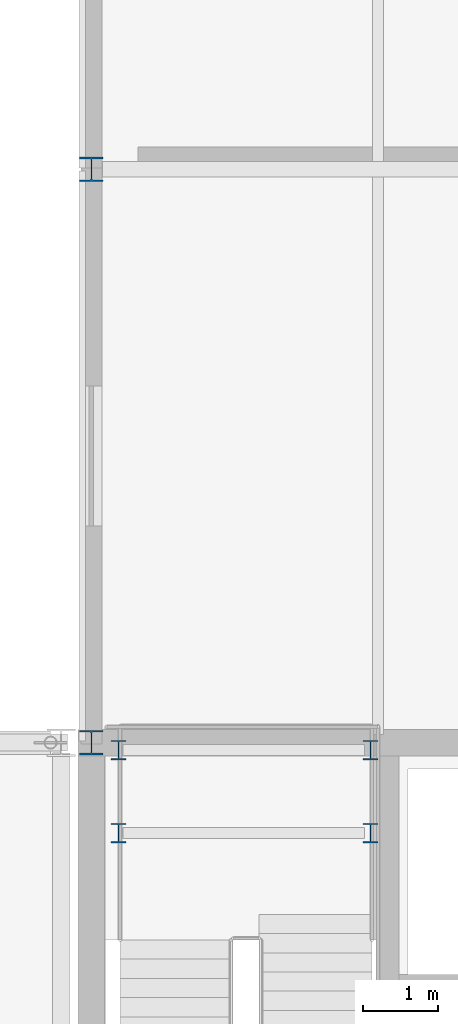
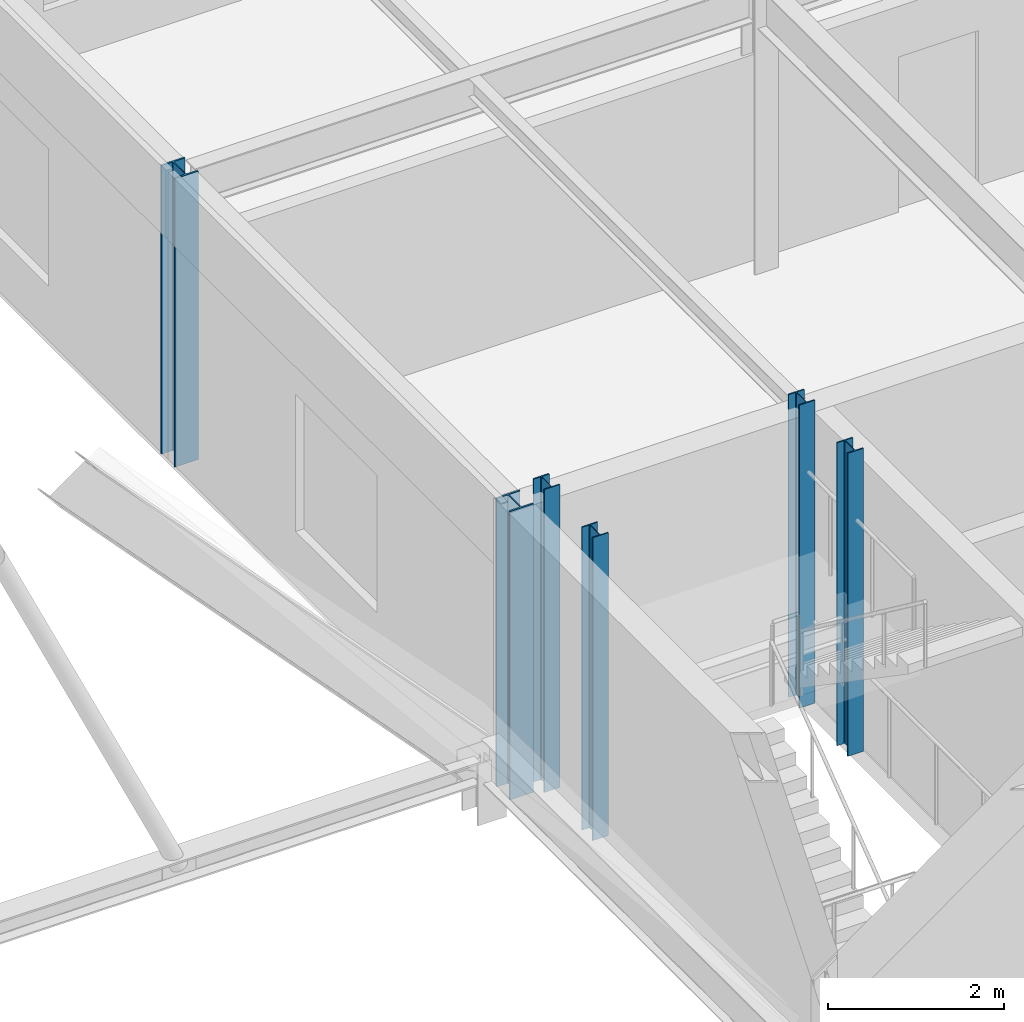
# One storey, part 9 of 85: 6 columns.
"""IFC4 building model written with IfcOpenShell, lengths in metres."""

import ifcopenshell
import ifcopenshell.guid

model = None  # the IFC model being written
_history = None  # IfcOwnerHistory: only IFC2X3 demands one
_inside = {}  # id of a spatial element -> (the spatial element, [elements in it])
_under = {}  # id of a project, library or spatial element -> (it, [spatial elements below it])
_declared = {}  # id of a project -> (the project, [libraries it declares])
_typed = {}  # id of a type object -> (the type object, [elements of that type])
_made_of = {}  # id of a material, layer set ... -> (it, [elements and type objects made of it])


def new_model(schema):
    """Start an empty IFC model of exactly this schema.

    Asked for "IFC4X3", IfcOpenShell would pick the latest addendum, in which some entities
    have other attributes; the version numbers below select the first issue.
    IFC2X3 requires an IfcOwnerHistory on every rooted entity: one is made here for all.
    """
    global model, _history
    if schema == "IFC4X3":
        model = ifcopenshell.file(schema_version=(4, 3, 0, 0))
    else:
        model = ifcopenshell.file(schema=schema)
    _inside.clear()
    _under.clear()
    _declared.clear()
    _typed.clear()
    _made_of.clear()
    _history = None
    if model.schema == "IFC2X3":
        org = make("IfcOrganization", Name="unknown")
        user = make(
            "IfcPersonAndOrganization",
            ThePerson=make("IfcPerson", FamilyName="unknown"),
            TheOrganization=org,
        )
        app = make(
            "IfcApplication",
            ApplicationDeveloper=org,
            Version="unknown",
            ApplicationFullName="unknown",
            ApplicationIdentifier="unknown",
        )
        _history = make(
            "IfcOwnerHistory",
            OwningUser=user,
            OwningApplication=app,
            ChangeAction="ADDED",
            CreationDate=0,
        )
    return model


def make(cls, **values):
    """One entity of the class cls with the attributes given. An attribute that is None is left unset."""
    return model.create_entity(
        cls, **{name: value for name, value in values.items() if value is not None}
    )


def rooted(cls, **values):
    """An entity with a GlobalId (a new one), such as an element, a storey or a relation."""
    return make(cls, GlobalId=ifcopenshell.guid.new(), OwnerHistory=_history, **values)


def si_unit(unit_type, name, prefix=None):
    """IfcSIUnit, for example si_unit("LENGTHUNIT", "METRE", prefix="MILLI")."""
    return make("IfcSIUnit", UnitType=unit_type, Prefix=prefix, Name=name)


def assignment(units):
    """IfcUnitAssignment: the units of a project."""
    return None if units is None else make("IfcUnitAssignment", Units=units)


def point(xyz):
    """IfcCartesianPoint."""
    return None if xyz is None else make("IfcCartesianPoint", Coordinates=xyz)


def direction(xyz):
    """IfcDirection."""
    return None if xyz is None else make("IfcDirection", DirectionRatios=xyz)


def frame(location, z_axis=None, x_axis=None):
    """IfcAxis2Placement3D, a coordinate frame: its origin and axes. An axis left out is left unset."""
    return make(
        "IfcAxis2Placement3D",
        Location=point(location),
        Axis=direction(z_axis),
        RefDirection=direction(x_axis),
    )


def frame_2d(location, x_axis=None):
    """IfcAxis2Placement2D, a coordinate frame in the plane: its origin and x axis."""
    return make(
        "IfcAxis2Placement2D", Location=point(location), RefDirection=direction(x_axis)
    )


def origin():
    """The frame at (0, 0, 0) with its axes left unset."""
    return frame((0.0, 0.0, 0.0))


def origin_2d():
    """The frame at (0, 0) in the plane with its x axis left unset."""
    return frame_2d((0.0, 0.0))


def place(relative_to, where):
    """IfcLocalPlacement: puts the frame where relative to a parent placement (None: the world)."""
    return make(
        "IfcLocalPlacement", PlacementRelTo=relative_to, RelativePlacement=where
    )


def context(
    kind, dimensions, precision=None, world=None, true_north=None, identifier=None
):
    """IfcGeometricRepresentationContext, for example the 3D "Model" context."""
    return make(
        "IfcGeometricRepresentationContext",
        ContextIdentifier=identifier,
        ContextType=kind,
        CoordinateSpaceDimension=dimensions,
        Precision=precision,
        WorldCoordinateSystem=world,
        TrueNorth=true_north,
    )


def subcontext(parent, identifier, kind, view, scale=None):
    """IfcGeometricRepresentationSubContext, for example "Body" below "Model"."""
    return make(
        "IfcGeometricRepresentationSubContext",
        ContextIdentifier=identifier,
        ContextType=kind,
        ParentContext=parent,
        TargetScale=scale,
        TargetView=view,
    )


def project(units=None, contexts=None):
    """IfcProject with its units and contexts."""
    return rooted(
        "IfcProject",
        Name="project",
        RepresentationContexts=contexts,
        UnitsInContext=assignment(units),
    )


def spatial(cls, under=None, at=None, **own):
    """A site, building, storey or space (cls), placed at a placement, below another one or the project."""
    s = rooted(cls, ObjectPlacement=at, **own)
    if under is not None:
        _under.setdefault(under.id(), (under, []))[1].append(s)
    return s


def profile(cls, at=None, kind="AREA", **sizes):
    """A parametric profile (cls). Its sizes go by their IFC names, for example OverallWidth=200.0."""
    return make(cls, ProfileType=kind, Position=at, **sizes)


def i_section(**sizes):
    """IfcIShapeProfileDef."""
    return profile("IfcIShapeProfileDef", **sizes)


def extrude(swept, where, along, depth):
    """IfcExtrudedAreaSolid: the profile swept, set in the frame where, extruded along a direction by depth."""
    return make(
        "IfcExtrudedAreaSolid",
        SweptArea=swept,
        Position=where,
        ExtrudedDirection=direction(along),
        Depth=depth,
    )


def shape(context_of_items, identifier, shape_type, items):
    """IfcShapeRepresentation: the items that make up one representation, for example the "Body"."""
    return make(
        "IfcShapeRepresentation",
        ContextOfItems=context_of_items,
        RepresentationIdentifier=identifier,
        RepresentationType=shape_type,
        Items=items,
    )


def material(Name=None, Category=None):
    """IfcMaterial."""
    return make("IfcMaterial", Name=Name, Category=Category)


def material_profile(
    of_material, cross_section, Name=None, Category=None, Priority=None
):
    """IfcMaterialProfile: a cross section and its material."""
    return make(
        "IfcMaterialProfile",
        Name=Name,
        Material=of_material,
        Profile=cross_section,
        Priority=Priority,
        Category=Category,
    )


def profile_set(profiles, Name=None, composite=None):
    """IfcMaterialProfileSet."""
    return make(
        "IfcMaterialProfileSet",
        Name=Name,
        MaterialProfiles=profiles,
        CompositeProfile=composite,
    )


def made_of(thing, what):
    """Note that an element or type object is made of a material, layer set ...; save() writes the relation."""
    if what is not None:
        _made_of.setdefault(what.id(), (what, []))[1].append(thing)
    return thing


def type_object(cls, material=None, **own):
    """A type object (cls), such as IfcWallType, which elements share."""
    return made_of(rooted(cls, **own), material)


def element(
    cls,
    number,
    at=None,
    inside=None,
    cuts=None,
    type_object=None,
    material=None,
    context=None,
    identifier="Body",
    shape_type=None,
    held_by="IfcProductDefinitionShape",
    body=None,
    shapes=None,
    **own,
):
    """One element of the class cls, such as IfcWall. Its Tag is "e" and its number.

    at: its placement. inside: the storey or other place that contains it. cuts: it is an
    opening in that element (IfcRelVoidsElement). A single representation is given by context,
    identifier, shape_type and body (its items); several are given by shapes. held_by: the class
    of the entity that holds the representations. save() writes the other relations.
    """
    e = rooted(cls, Tag="e%d" % number, ObjectPlacement=at, **own)
    if body is not None:
        shapes = [shape(context, identifier, shape_type, body)]
    if shapes is not None:
        e.Representation = make(held_by, Representations=shapes)
    if inside is not None:
        _inside.setdefault(inside.id(), (inside, []))[1].append(e)
    if cuts is not None:
        rooted(
            "IfcRelVoidsElement", RelatingBuildingElement=cuts, RelatedOpeningElement=e
        )
    if type_object is not None:
        _typed.setdefault(type_object.id(), (type_object, []))[1].append(e)
    return made_of(e, material)


def aggregate(whole, parts):
    """IfcRelAggregates: a whole, such as a stair, and the parts it consists of."""
    return rooted("IfcRelAggregates", RelatingObject=whole, RelatedObjects=parts)


def save(model, path):
    """Write the relations noted so far, then the file.

    IfcRelAggregates (storeys below a building ...), IfcRelContainedInSpatialStructure (elements
    in a storey), IfcRelDefinesByType, IfcRelAssociatesMaterial and IfcRelDeclares: one each for
    every whole, place, type object, material and project.
    """
    for whole, parts in _under.values():
        aggregate(whole, parts)
    for where, things in _inside.values():
        rooted(
            "IfcRelContainedInSpatialStructure",
            RelatedElements=things,
            RelatingStructure=where,
        )
    for kind, things in _typed.values():
        rooted("IfcRelDefinesByType", RelatedObjects=things, RelatingType=kind)
    for what, things in _made_of.values():
        rooted("IfcRelAssociatesMaterial", RelatedObjects=things, RelatingMaterial=what)
    for by, libraries in _declared.values():
        rooted("IfcRelDeclares", RelatingContext=by, RelatedDefinitions=libraries)
    model.write(path)


model = new_model("IFC4")

# Units and contexts
model_context = context("Model", 3, precision=1e-05, world=origin(), true_north=direction((0.0, 1.0)))
body_context = subcontext(model_context, "Body", "Model", "MODEL_VIEW")
ifc_project = project(units=[si_unit("LENGTHUNIT", "METRE"), si_unit("AREAUNIT", "SQUARE_METRE"), si_unit("VOLUMEUNIT", "CUBIC_METRE"), si_unit("PLANEANGLEUNIT", "RADIAN"), si_unit("MASSUNIT", "GRAM", prefix="KILO")], contexts=[model_context])

# Site, building, storey
site_placement = place(None, origin())
site = spatial("IfcSite", under=ifc_project, at=site_placement, CompositionType="ELEMENT")
building_placement = place(site_placement, origin())
building = spatial("IfcBuilding", under=site, at=building_placement, Name="Zulena Civic Courthouse", CompositionType="ELEMENT")
storey_placement = place(building_placement, frame((0.0, 0.0, 25.199951171875)))
storey = spatial("IfcBuildingStorey", under=building, at=storey_placement, Name="L05", CompositionType="ELEMENT", Elevation=25.199951171875)

# Columns
ifc_material = material(Name="Steel ASTM A992 Grade 50", Category="steel")
ifc_material_profile_1 = material_profile(ifc_material, i_section(OverallWidth=0.2041015625, OverallDepth=0.257080078125, WebThickness=0.0087890625, FlangeThickness=0.015625, FilletRadius=0.0126953125, at=origin_2d()), Name="W10X45")
ifc_profile_set_1 = profile_set([ifc_material_profile_1], Name="Steel ASTM A992 Grade 50")
column_type_1 = type_object("IfcColumnType", Name="Col_W10X45", PredefinedType="COLUMN", material=ifc_profile_set_1)
for number, where, z_axis, x_axis, name in (
    (1, (124.760009765625, 36.800048828125, 0.0), (0.0, 0.0, 1.0), (1.0, 0.0, 0.0), "col:lnd:K3A:L05:0:0"),
    (2, (128.10009765625, 36.800048828125, 0.0), (0.0, 0.0, 1.0), (1.0, 0.0, 0.0), "col:lnd:K3A:L05:0:1"),
    (3, (124.760009765625, 37.89990234375, 0.0), (0.0, 0.0, 1.0), (1.0, 0.0, 0.0), "col:lnd:K3A:L05:1:0"),
    (4, (128.10009765625, 37.89990234375, 0.0), (0.0, 0.0, 1.0), (1.0, 0.0, 0.0), "col:lnd:K3A:L05:1:1"),
):
    element("IfcColumn", number, at=place(storey_placement, frame(where, z_axis=z_axis, x_axis=x_axis)), inside=storey, type_object=column_type_1, Name=name, PredefinedType="COLUMN", context=body_context, shape_type="SweptSolid", body=[
        extrude(i_section(OverallWidth=0.2041015625, OverallDepth=0.257080078125, WebThickness=0.0087890625, FlangeThickness=0.015625, FilletRadius=0.0126953125, at=origin_2d()), origin(), (0.0, 0.0, 1.0), 4.195068359375),
    ])
ifc_material_profile_2 = material_profile(ifc_material, i_section(OverallWidth=0.30908203125, OverallDepth=0.322998046875, WebThickness=0.013916015625, FlangeThickness=0.02294921875, FilletRadius=0.01513671875, at=origin_2d()), Name="W12X96")
ifc_profile_set_2 = profile_set([ifc_material_profile_2], Name="Steel ASTM A992 Grade 50")
column_type_2 = type_object("IfcColumnType", Name="Col_W12X96", PredefinedType="COLUMN", material=ifc_profile_set_2)
for number, where, z_axis, x_axis, name in (
    (5, (124.39990234375, 38.0, 0.0), (0.0, 0.0, 1.0), (1.0, 0.0, 0.0), "col:V3:L05:124.4:38.0"),
    (6, (124.39990234375, 45.60009765625, 0.0), (0.0, 0.0, 1.0), (1.0, 0.0, 0.0), "col:V3:L05:124.4:45.6"),
):
    element("IfcColumn", number, at=place(storey_placement, frame(where, z_axis=z_axis, x_axis=x_axis)), inside=storey, type_object=column_type_2, Name=name, PredefinedType="COLUMN", context=body_context, shape_type="SweptSolid", body=[
        extrude(i_section(OverallWidth=0.30908203125, OverallDepth=0.322998046875, WebThickness=0.013916015625, FlangeThickness=0.02294921875, FilletRadius=0.01513671875, at=origin_2d()), origin(), (0.0, 0.0, 1.0), 3.9951171875),
    ])

save(model, "model.ifc")
